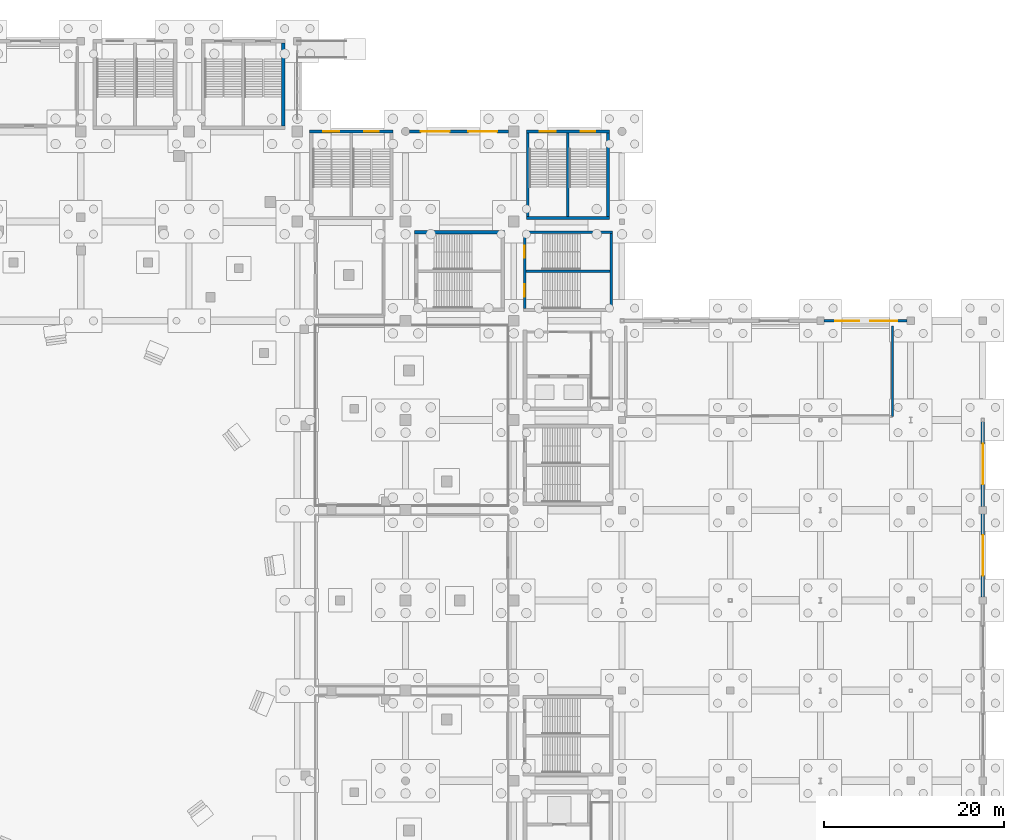
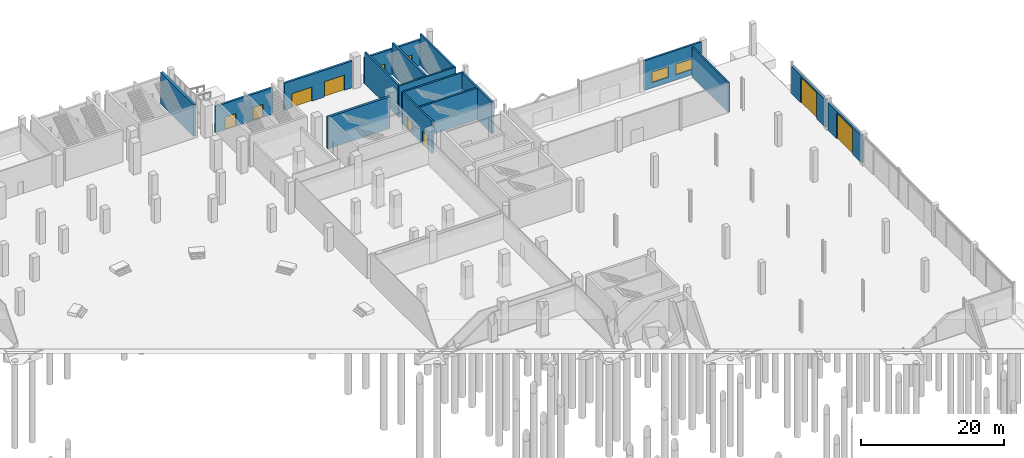
# One storey, part 57 of 70: 17 walls, 10 doors, 2 windows, 12 openings.
"""IFC4 building model written with IfcOpenShell, lengths in metres."""

from ifc_helpers import new_model, si_unit, direction, frame, frame_2d, origin, place, context, subcontext, project, spatial, rectangle, extrude, material, layer, layer_set, type_object, element, fill, save


model = new_model("IFC4")

# Units and contexts
model_context = context("Model", 3, precision=1e-05, world=origin(), true_north=direction((0.0, 1.0)))
body_context = subcontext(model_context, "Body", "Model", "MODEL_VIEW")
ifc_project = project(units=[si_unit("LENGTHUNIT", "METRE"), si_unit("AREAUNIT", "SQUARE_METRE"), si_unit("VOLUMEUNIT", "CUBIC_METRE"), si_unit("PLANEANGLEUNIT", "RADIAN"), si_unit("MASSUNIT", "GRAM", prefix="KILO")], contexts=[model_context])

# Site, building, storey
site_placement = place(None, origin())
site = spatial("IfcSite", under=ifc_project, at=site_placement, CompositionType="ELEMENT")
building_placement = place(site_placement, origin())
building = spatial("IfcBuilding", under=site, at=building_placement, Name="Brinegate Civic Arena", CompositionType="ELEMENT")
storey_placement = place(building_placement, origin())
storey = spatial("IfcBuildingStorey", under=building, at=storey_placement, Name="L00", CompositionType="ELEMENT", Elevation=0.0)

# Walls
ifc_material_1 = material(Name="Concrete C50/60", Category="concrete")
ifc_layer_1 = layer(ifc_material_1, 0.389892578125, Name="Concrete C50/60")
ifc_layer_set_1 = layer_set([ifc_layer_1], Name="Concrete C50/60")
wall_type_1 = type_object("IfcWallType", Name="WALL-CORE-SHEAR-390", PredefinedType="SHEAR", material=ifc_layer_set_1)
wall_1_placement = place(storey_placement, frame((130.449951171875, 114.594970703125, 0.0), z_axis=(0.0, 0.0, 1.0), x_axis=(0.0, 1.0, 0.0)))
element("IfcWall", 1, at=wall_1_placement, inside=storey, type_object=wall_type_1, Name="Stair ST-03 East Shear Wall L00 (WBB-65)", PredefinedType="SHEAR", context=body_context, shape_type="SweptSolid", body=[
    extrude(rectangle(XDim=9.22998046875, YDim=0.389892578125, at=frame_2d((4.614990234375, 0.0))), origin(), (0.0, 0.0, 1.0), 5.39990234375),
])
wall_2_placement = place(storey_placement, frame((145.0048828125, 102.800048828125, 0.0), z_axis=(0.0, 0.0, 1.0), x_axis=(1.0, 0.0, 0.0)))
element("IfcWall", 2, at=wall_2_placement, inside=storey, type_object=wall_type_1, Name="Stair ST-18 North Shear Wall L00 (WBL-02)", PredefinedType="SHEAR", context=body_context, shape_type="SweptSolid", body=[
    extrude(rectangle(XDim=9.990234375, YDim=0.389892578125, at=frame_2d((4.9951171875, 0.0))), origin(), (0.0, 0.0, 1.0), 5.39990234375),
])

# Wall, openings, windows
ifc_material_2 = material(Name="Precast concrete C45/55", Category="concrete")
ifc_layer_2 = layer(ifc_material_2, 0.31494140625, Name="Precast concrete C45/55")
ifc_layer_set_2 = layer_set([ifc_layer_2], Name="Precast concrete C45/55")
wall_type_2 = type_object("IfcWallType", Name="WALL-EXT-PRECAST-315", PredefinedType="SOLIDWALL", material=ifc_layer_set_2)
wall_3_placement = place(storey_placement, frame((190.385009765625, 93.0, 0.0), z_axis=(0.0, 0.0, 1.0), x_axis=(1.0, 0.0, 0.0)))
wall_3 = element("IfcWall", 3, at=wall_3_placement, inside=storey, type_object=wall_type_2, Name="Perimeter Window Wall L00-04 (WBA-05)", PredefinedType="SOLIDWALL", context=body_context, shape_type="SweptSolid", body=[
    extrude(rectangle(XDim=9.22998046875, YDim=0.31494140625, at=frame_2d((4.614990234375, 0.0))), origin(), (0.0, 0.0, 1.0), 5.06005859375),
])
opening_1_placement = place(wall_3_placement, frame((1.23388671875, 0.0, 0.89990234375)))
opening_1 = element("IfcOpeningElement", 4, at=opening_1_placement, cuts=wall_3, Name="Opening WN-0007", PredefinedType="OPENING", context=body_context, shape_type="SweptSolid", body=[
    extrude(rectangle(XDim=2.699951171875, YDim=1.800048828125, at=frame_2d((1.35009765625, 0.89990234375))), frame((0.0, 0.16748046875, 0.0), z_axis=(0.0, -1.0, 0.0), x_axis=(1.0, 0.0, 0.0)), (0.0, 0.0, 1.0), 0.3349609375),
])
opening_2_placement = place(wall_3_placement, frame((5.14599609375, 0.0, 0.89990234375)))
opening_2 = element("IfcOpeningElement", 5, at=opening_2_placement, cuts=wall_3, Name="Opening WN-0008", PredefinedType="OPENING", context=body_context, shape_type="SweptSolid", body=[
    extrude(rectangle(XDim=3.0, YDim=1.800048828125, at=frame_2d((1.5, 0.89990234375))), frame((0.0, 0.16748046875, 0.0), z_axis=(0.0, -1.0, 0.0), x_axis=(1.0, 0.0, 0.0)), (0.0, 0.0, 1.0), 0.3349609375),
])
ifc_material_3 = material(Name="Hurricane laminated low-E glass", Category="glass")
window_type_1 = type_object("IfcWindowType", Name="WIN-CASEMENT-2700X1800", PartitioningType="SINGLE_PANEL", PredefinedType="WINDOW", material=ifc_material_3)
window_1_placement = place(opening_1_placement, origin())
window_1 = element("IfcWindow", 6, at=window_1_placement, inside=storey, type_object=window_type_1, Name="Window WN-0007", OverallHeight=1.800048828125, OverallWidth=2.699951171875, PartitioningType="SINGLE_PANEL", PredefinedType="WINDOW", context=body_context, shape_type="SweptSolid", body=[
    extrude(rectangle(XDim=2.699951171875, YDim=1.800048828125, at=frame_2d((1.35009765625, 0.89990234375))), frame((0.0, 0.030029296875, 0.0), z_axis=(0.0, -1.0, 0.0), x_axis=(1.0, 0.0, 0.0)), (0.0, 0.0, 1.0), 0.06005859375),
])
fill(opening_1, window_1)
window_type_2 = type_object("IfcWindowType", Name="WIN-CASEMENT-3000X1800", PartitioningType="SINGLE_PANEL", PredefinedType="WINDOW", material=ifc_material_3)
window_2_placement = place(opening_2_placement, origin())
window_2 = element("IfcWindow", 7, at=window_2_placement, inside=storey, type_object=window_type_2, Name="Window WN-0008", OverallHeight=1.800048828125, OverallWidth=3.0, PartitioningType="SINGLE_PANEL", PredefinedType="WINDOW", context=body_context, shape_type="SweptSolid", body=[
    extrude(rectangle(XDim=3.0, YDim=1.800048828125, at=frame_2d((1.5, 0.89990234375))), frame((0.0, 0.030029296875, 0.0), z_axis=(0.0, -1.0, 0.0), x_axis=(1.0, 0.0, 0.0)), (0.0, 0.0, 1.0), 0.06005859375),
])
fill(opening_2, window_2)

# Wall, openings, doors
ifc_layer_3 = layer(ifc_material_2, 0.360107421875, Name="Precast concrete C45/55")
ifc_layer_set_3 = layer_set([ifc_layer_3], Name="Precast concrete C45/55")
wall_type_3 = type_object("IfcWallType", Name="WALL-EXT-PRECAST-360", PredefinedType="SOLIDWALL", material=ifc_layer_set_3)
wall_4_placement = place(storey_placement, frame((144.43505859375, 114.0, 0.0), z_axis=(0.0, 0.0, 1.0), x_axis=(1.0, 0.0, 0.0)))
wall_4 = element("IfcWall", 8, at=wall_4_placement, inside=storey, type_object=wall_type_3, Name="L00 Perimeter Wall NB-3 (WBA-27)", PredefinedType="SOLIDWALL", context=body_context, shape_type="SweptSolid", body=[
    extrude(rectangle(XDim=10.97998046875, YDim=0.360107421875, at=frame_2d((5.489990234375, 0.0))), origin(), (0.0, 0.0, 1.0), 4.573974609375),
])
opening_3_placement = place(wall_4_placement, frame((1.2548828125, 0.0, 0.0)))
opening_3 = element("IfcOpeningElement", 9, at=opening_3_placement, cuts=wall_4, Name="Opening E-09", PredefinedType="OPENING", context=body_context, shape_type="SweptSolid", body=[
    extrude(rectangle(XDim=3.199951171875, YDim=2.39990234375, at=frame_2d((1.60009765625, 1.199951171875))), frame((0.0, 0.18994140625, 0.0), z_axis=(0.0, -1.0, 0.0), x_axis=(1.0, 0.0, 0.0)), (0.0, 0.0, 1.0), 0.380126953125),
])
opening_4_placement = place(wall_4_placement, frame((6.52490234375, 0.0, 0.0)))
opening_4 = element("IfcOpeningElement", 10, at=opening_4_placement, cuts=wall_4, Name="Opening E-10", PredefinedType="OPENING", context=body_context, shape_type="SweptSolid", body=[
    extrude(rectangle(XDim=3.199951171875, YDim=2.60009765625, at=frame_2d((1.60009765625, 1.300048828125))), frame((0.0, 0.18994140625, 0.0), z_axis=(0.0, -1.0, 0.0), x_axis=(1.0, 0.0, 0.0)), (0.0, 0.0, 1.0), 0.380126953125),
])
ifc_material_4 = material(Name="Marine grade aluminium", Category="aluminium")
door_type_1 = type_object("IfcDoorType", Name="DOOR-FINAL-EXIT-3200X2400", OperationType="NOTDEFINED", PredefinedType="DOOR", material=ifc_material_4)
door_1_placement = place(opening_3_placement, origin())
door_1 = element("IfcDoor", 11, at=door_1_placement, inside=storey, type_object=door_type_1, Name="Main Pedestrian Final Exit Door E-09", OperationType="DOUBLE_DOOR_SINGLE_SWING", OverallHeight=2.39990234375, OverallWidth=3.199951171875, PredefinedType="DOOR", context=body_context, shape_type="SweptSolid", body=[
    extrude(rectangle(XDim=3.199951171875, YDim=2.39990234375, at=frame_2d((1.60009765625, 1.199951171875))), frame((0.0, 0.02490234375, 0.0), z_axis=(0.0, -1.0, 0.0), x_axis=(1.0, 0.0, 0.0)), (0.0, 0.0, 1.0), 0.050048828125),
])
fill(opening_3, door_1)
door_type_2 = type_object("IfcDoorType", Name="DOOR-FINAL-EXIT-3200X2600", OperationType="NOTDEFINED", PredefinedType="DOOR", material=ifc_material_4)
door_2_placement = place(opening_4_placement, origin())
door_2 = element("IfcDoor", 12, at=door_2_placement, inside=storey, type_object=door_type_2, Name="Main Pedestrian Final Exit Door E-10", OperationType="DOUBLE_DOOR_SINGLE_SWING", OverallHeight=2.60009765625, OverallWidth=3.199951171875, PredefinedType="DOOR", context=body_context, shape_type="SweptSolid", body=[
    extrude(rectangle(XDim=3.199951171875, YDim=2.60009765625, at=frame_2d((1.60009765625, 1.300048828125))), frame((0.0, 0.02490234375, 0.0), z_axis=(0.0, -1.0, 0.0), x_axis=(1.0, 0.0, 0.0)), (0.0, 0.0, 1.0), 0.050048828125),
])
fill(opening_4, door_2)

# Wall, opening, door
wall_5_placement = place(storey_placement, frame((208.0, 62.385009765625, 0.0), z_axis=(0.0, 0.0, 1.0), x_axis=(0.0, 1.0, 0.0)))
wall_5 = element("IfcWall", 13, at=wall_5_placement, inside=storey, type_object=wall_type_3, Name="Marshalling Dock East Wall 05 (WBA-40)", PredefinedType="SOLIDWALL", context=body_context, shape_type="SweptSolid", body=[
    extrude(rectangle(XDim=9.22998046875, YDim=0.360107421875, at=frame_2d((4.614990234375, 0.0))), origin(), (0.0, 0.0, 1.0), 4.699951171875),
])
opening_5_placement = place(wall_5_placement, frame((2.364990234375, 0.0, 0.0)))
opening_5 = element("IfcOpeningElement", 14, at=opening_5_placement, cuts=wall_5, Name="Opening VG-05", PredefinedType="OPENING", context=body_context, shape_type="SweptSolid", body=[
    extrude(rectangle(XDim=4.5, YDim=4.39990234375, at=frame_2d((2.25, 2.199951171875))), frame((0.0, 0.18994140625, 0.0), z_axis=(0.0, -1.0, 0.0), x_axis=(1.0, 0.0, 0.0)), (0.0, 0.0, 1.0), 0.380126953125),
])
ifc_material_5 = material(Name="Galvanized hurricane steel", Category="steel")
door_type_3 = type_object("IfcDoorType", Name="DOOR-SHUTTER-4500X4400", OperationType="ROLLINGUP", PredefinedType="DOOR", material=ifc_material_5)
door_3_placement = place(opening_5_placement, frame((4.5, 0.0, 0.0), z_axis=(0.0, 0.0, 1.0), x_axis=(-1.0, 0.0, 0.0)))
door_3 = element("IfcDoor", 15, at=door_3_placement, inside=storey, type_object=door_type_3, Name="Loading Dock Roller Shutter VG-05", OperationType="ROLLINGUP", OverallHeight=4.39990234375, OverallWidth=4.5, PredefinedType="DOOR", context=body_context, shape_type="SweptSolid", body=[
    extrude(rectangle(XDim=4.5, YDim=4.39990234375, at=frame_2d((2.25, 2.199951171875))), frame((0.0, 0.02490234375, 0.0), z_axis=(0.0, -1.0, 0.0), x_axis=(1.0, 0.0, 0.0)), (0.0, 0.0, 1.0), 0.050048828125),
])
fill(opening_5, door_3)

wall_6_placement = place(storey_placement, frame((208.0, 72.385009765625, 0.0), z_axis=(0.0, 0.0, 1.0), x_axis=(0.0, 1.0, 0.0)))
wall_6 = element("IfcWall", 16, at=wall_6_placement, inside=storey, type_object=wall_type_3, Name="Marshalling Dock East Wall 06 (WBA-41)", PredefinedType="SOLIDWALL", context=body_context, shape_type="SweptSolid", body=[
    extrude(rectangle(XDim=9.455078125, YDim=0.360107421875, at=frame_2d((4.7275390625, 0.0))), origin(), (0.0, 0.0, 1.0), 4.699951171875),
])
opening_6_placement = place(wall_6_placement, frame((2.47802734375, 0.0, 0.0)))
opening_6 = element("IfcOpeningElement", 17, at=opening_6_placement, cuts=wall_6, Name="Opening VG-06", PredefinedType="OPENING", context=body_context, shape_type="SweptSolid", body=[
    extrude(rectangle(XDim=4.5, YDim=4.39990234375, at=frame_2d((2.25, 2.199951171875))), frame((0.0, 0.18994140625, 0.0), z_axis=(0.0, -1.0, 0.0), x_axis=(1.0, 0.0, 0.0)), (0.0, 0.0, 1.0), 0.380126953125),
])
door_4_placement = place(opening_6_placement, frame((4.5, 0.0, 0.0), z_axis=(0.0, 0.0, 1.0), x_axis=(-1.0, 0.0, 0.0)))
door_4 = element("IfcDoor", 18, at=door_4_placement, inside=storey, type_object=door_type_3, Name="Loading Dock Roller Shutter VG-06", OperationType="ROLLINGUP", OverallHeight=4.39990234375, OverallWidth=4.5, PredefinedType="DOOR", context=body_context, shape_type="SweptSolid", body=[
    extrude(rectangle(XDim=4.5, YDim=4.39990234375, at=frame_2d((2.25, 2.199951171875))), frame((0.0, 0.02490234375, 0.0), z_axis=(0.0, -1.0, 0.0), x_axis=(1.0, 0.0, 0.0)), (0.0, 0.0, 1.0), 0.050048828125),
])
fill(opening_6, door_4)

# Wall, openings, doors
ifc_layer_4 = layer(ifc_material_1, 0.35009765625, Name="Concrete C50/60")
ifc_layer_set_4 = layer_set([ifc_layer_4], Name="Concrete C50/60")
wall_type_4 = type_object("IfcWallType", Name="WALL-EXT-STAIR-SHEAR-350", PredefinedType="SHEAR", material=ifc_layer_set_4)
wall_7_placement = place(storey_placement, frame((157.405029296875, 114.0, 0.0), z_axis=(0.0, 0.0, 1.0), x_axis=(1.0, 0.0, 0.0)))
wall_7 = element("IfcWall", 19, at=wall_7_placement, inside=storey, type_object=wall_type_4, Name="Stair ST-05 North Shear Wall L00 (WBC-19)", PredefinedType="SHEAR", context=body_context, shape_type="SweptSolid", body=[
    extrude(rectangle(XDim=9.18994140625, YDim=0.35009765625, at=frame_2d((4.594970703125, 0.0))), origin(), (0.0, 0.0, 1.0), 4.346923828125),
])
opening_7_placement = place(wall_7_placement, frame((1.469970703125, 0.0, 0.0)))
opening_7 = element("IfcOpeningElement", 20, at=opening_7_placement, cuts=wall_7, Name="Opening E-ST05A", PredefinedType="OPENING", context=body_context, shape_type="SweptSolid", body=[
    extrude(rectangle(XDim=1.800048828125, YDim=2.199951171875, at=frame_2d((0.89990234375, 1.10009765625))), frame((0.0, 0.18505859375, 0.0), z_axis=(0.0, -1.0, 0.0), x_axis=(1.0, 0.0, 0.0)), (0.0, 0.0, 1.0), 0.3701171875),
])
opening_8_placement = place(wall_7_placement, frame((6.02001953125, 0.0, 0.0)))
opening_8 = element("IfcOpeningElement", 21, at=opening_8_placement, cuts=wall_7, Name="Opening E-ST05B", PredefinedType="OPENING", context=body_context, shape_type="SweptSolid", body=[
    extrude(rectangle(XDim=1.60009765625, YDim=2.199951171875, at=frame_2d((0.800048828125, 1.10009765625))), frame((0.0, 0.18505859375, 0.0), z_axis=(0.0, -1.0, 0.0), x_axis=(1.0, 0.0, 0.0)), (0.0, 0.0, 1.0), 0.3701171875),
])
door_type_4 = type_object("IfcDoorType", Name="DOOR-LOGGIA-1600X2200", OperationType="NOTDEFINED", PredefinedType="DOOR", material=ifc_material_4)
door_5_placement = place(opening_8_placement, origin())
door_5 = element("IfcDoor", 22, at=door_5_placement, inside=storey, type_object=door_type_4, Name="Stair Final Exit Discharge Door E-ST05B", OperationType="DOUBLE_DOOR_SINGLE_SWING", OverallHeight=2.199951171875, OverallWidth=1.60009765625, PredefinedType="DOOR", context=body_context, shape_type="SweptSolid", body=[
    extrude(rectangle(XDim=1.60009765625, YDim=2.199951171875, at=frame_2d((0.800048828125, 1.10009765625))), frame((0.0, 0.02490234375, 0.0), z_axis=(0.0, -1.0, 0.0), x_axis=(1.0, 0.0, 0.0)), (0.0, 0.0, 1.0), 0.050048828125),
])
fill(opening_8, door_5)
door_type_5 = type_object("IfcDoorType", Name="DOOR-LOGGIA-1800X2200", OperationType="NOTDEFINED", PredefinedType="DOOR", material=ifc_material_4)
door_6_placement = place(opening_7_placement, origin())
door_6 = element("IfcDoor", 23, at=door_6_placement, inside=storey, type_object=door_type_5, Name="Stair Final Exit Discharge Door E-ST05A", OperationType="DOUBLE_DOOR_SINGLE_SWING", OverallHeight=2.199951171875, OverallWidth=1.800048828125, PredefinedType="DOOR", context=body_context, shape_type="SweptSolid", body=[
    extrude(rectangle(XDim=1.800048828125, YDim=2.199951171875, at=frame_2d((0.89990234375, 1.10009765625))), frame((0.0, 0.02490234375, 0.0), z_axis=(0.0, -1.0, 0.0), x_axis=(1.0, 0.0, 0.0)), (0.0, 0.0, 1.0), 0.050048828125),
])
fill(opening_7, door_6)

wall_8_placement = place(storey_placement, frame((133.375, 114.0, 0.0), z_axis=(0.0, 0.0, 1.0), x_axis=(1.0, 0.0, 0.0)))
wall_8 = element("IfcWall", 24, at=wall_8_placement, inside=storey, type_object=wall_type_4, Name="Stair ST-13 North Shear Wall L00 (WBE-31)", PredefinedType="SHEAR", context=body_context, shape_type="SweptSolid", body=[
    extrude(rectangle(XDim=9.25, YDim=0.35009765625, at=frame_2d((4.625, 0.0))), origin(), (0.0, 0.0, 1.0), 4.49609375),
])
opening_9_placement = place(wall_8_placement, frame((1.5, 0.0, 0.0)))
opening_9 = element("IfcOpeningElement", 25, at=opening_9_placement, cuts=wall_8, Name="Opening E-ST13A", PredefinedType="OPENING", context=body_context, shape_type="SweptSolid", body=[
    extrude(rectangle(XDim=1.800048828125, YDim=2.199951171875, at=frame_2d((0.89990234375, 1.10009765625))), frame((0.0, 0.18505859375, 0.0), z_axis=(0.0, -1.0, 0.0), x_axis=(1.0, 0.0, 0.0)), (0.0, 0.0, 1.0), 0.3701171875),
])
opening_10_placement = place(wall_8_placement, frame((6.050048828125, 0.0, 0.0)))
opening_10 = element("IfcOpeningElement", 26, at=opening_10_placement, cuts=wall_8, Name="Opening E-ST13B", PredefinedType="OPENING", context=body_context, shape_type="SweptSolid", body=[
    extrude(rectangle(XDim=1.60009765625, YDim=2.199951171875, at=frame_2d((0.800048828125, 1.10009765625))), frame((0.0, 0.18505859375, 0.0), z_axis=(0.0, -1.0, 0.0), x_axis=(1.0, 0.0, 0.0)), (0.0, 0.0, 1.0), 0.3701171875),
])
door_7_placement = place(opening_10_placement, origin())
door_7 = element("IfcDoor", 27, at=door_7_placement, inside=storey, type_object=door_type_4, Name="Stair Final Exit Discharge Door E-ST13B", OperationType="DOUBLE_DOOR_SINGLE_SWING", OverallHeight=2.199951171875, OverallWidth=1.60009765625, PredefinedType="DOOR", context=body_context, shape_type="SweptSolid", body=[
    extrude(rectangle(XDim=1.60009765625, YDim=2.199951171875, at=frame_2d((0.800048828125, 1.10009765625))), frame((0.0, 0.02490234375, 0.0), z_axis=(0.0, -1.0, 0.0), x_axis=(1.0, 0.0, 0.0)), (0.0, 0.0, 1.0), 0.050048828125),
])
fill(opening_10, door_7)
door_8_placement = place(opening_9_placement, origin())
door_8 = element("IfcDoor", 28, at=door_8_placement, inside=storey, type_object=door_type_5, Name="Stair Final Exit Discharge Door E-ST13A", OperationType="DOUBLE_DOOR_SINGLE_SWING", OverallHeight=2.199951171875, OverallWidth=1.800048828125, PredefinedType="DOOR", context=body_context, shape_type="SweptSolid", body=[
    extrude(rectangle(XDim=1.800048828125, YDim=2.199951171875, at=frame_2d((0.89990234375, 1.10009765625))), frame((0.0, 0.02490234375, 0.0), z_axis=(0.0, -1.0, 0.0), x_axis=(1.0, 0.0, 0.0)), (0.0, 0.0, 1.0), 0.050048828125),
])
fill(opening_9, door_8)

# Walls
ifc_material_6 = material(Name="Concrete C40/50", Category="concrete")
ifc_layer_5 = layer(ifc_material_6, 0.25, Name="Concrete C40/50")
ifc_layer_set_5 = layer_set([ifc_layer_5], Name="Concrete C40/50")
wall_type_5 = type_object("IfcWallType", Name="WALL-INT-SOLID-250", PredefinedType="SOLIDWALL", material=ifc_layer_set_5)
wall_9_placement = place(storey_placement, frame((198.0, 92.39990234375, 0.0), z_axis=(0.0, 0.0, 1.0), x_axis=(0.0, -1.0, 0.0)))
element("IfcWall", 29, at=wall_9_placement, inside=storey, type_object=wall_type_5, Name="Stage and Rigging Storage Hall Partition Wall E1 (WBI-43)", PredefinedType="SOLIDWALL", context=body_context, shape_type="SweptSolid", body=[
    extrude(rectangle(XDim=10.0, YDim=0.25, at=frame_2d((5.0, 0.0))), origin(), (0.0, 0.0, 1.0), 5.06005859375),
])
ifc_layer_6 = layer(ifc_material_1, 0.2900390625, Name="Concrete C50/60")
ifc_layer_set_6 = layer_set([ifc_layer_6], Name="Concrete C50/60")
wall_type_6 = type_object("IfcWallType", Name="WALL-STAIR-SHEAR-290", PredefinedType="SHEAR", material=ifc_layer_set_6)
wall_10_placement = place(storey_placement, frame((157.405029296875, 104.39990234375, 0.0), z_axis=(0.0, 0.0, 1.0), x_axis=(1.0, 0.0, 0.0)))
element("IfcWall", 30, at=wall_10_placement, inside=storey, type_object=wall_type_6, Name="Stair ST-05 South Shear Wall L00 (WBC-18)", PredefinedType="SHEAR", context=body_context, shape_type="SweptSolid", body=[
    extrude(rectangle(XDim=9.18994140625, YDim=0.2900390625, at=frame_2d((4.594970703125, 0.0))), origin(), (0.0, 0.0, 1.0), 5.39990234375),
])
for number, where, z_axis, x_axis, name in (
    (31, (157.550048828125, 104.544921875, 0.0), (0.0, 0.0, 1.0), (0.0, 1.0, 0.0), "Stair ST-05 West Shear Wall L00 (WBC-20)"),
    (32, (166.449951171875, 104.544921875, 0.0), (0.0, 0.0, 1.0), (0.0, 1.0, 0.0), "Stair ST-05 East Shear Wall L00 (WBC-21)"),
    (33, (162.0, 104.544921875, 0.0), (0.0, 0.0, 1.0), (0.0, 1.0, 0.0), "Stair ST-05 Central Dividing Shear Wall L00 (WBC-22)"),
):
    element("IfcWall", number, at=place(storey_placement, frame(where, z_axis=z_axis, x_axis=x_axis)), inside=storey, type_object=wall_type_6, Name=name, PredefinedType="SHEAR", context=body_context, shape_type="SweptSolid", body=[
        extrude(rectangle(XDim=9.280029296875, YDim=0.2900390625, at=frame_2d((4.64013671875, 0.0))), origin(), (0.0, 0.0, 1.0), 5.39990234375),
    ])
wall_11_placement = place(storey_placement, frame((157.054931640625, 102.800048828125, 0.0), z_axis=(0.0, 0.0, 1.0), x_axis=(1.0, 0.0, 0.0)))
element("IfcWall", 34, at=wall_11_placement, inside=storey, type_object=wall_type_6, Name="Stair ST-20 North Shear Wall L00 (WBL-52)", PredefinedType="SHEAR", context=body_context, shape_type="SweptSolid", body=[
    extrude(rectangle(XDim=9.89013671875, YDim=0.2900390625, at=frame_2d((4.945068359375, 0.0))), origin(), (0.0, 0.0, 1.0), 5.39990234375),
])

# Wall, openings, doors
wall_12_placement = place(storey_placement, frame((157.199951171875, 94.344970703125, 0.0), z_axis=(0.0, 0.0, 1.0), x_axis=(0.0, 1.0, 0.0)))
wall_12 = element("IfcWall", 35, at=wall_12_placement, inside=storey, type_object=wall_type_6, Name="Stair ST-20 West Shear Wall L00 (WBL-53)", PredefinedType="SHEAR", context=body_context, shape_type="SweptSolid", body=[
    extrude(rectangle(XDim=8.31005859375, YDim=0.2900390625, at=frame_2d((4.155029296875, 0.0))), origin(), (0.0, 0.0, 1.0), 5.39990234375),
])
opening_11_placement = place(wall_12_placement, frame((1.304931640625, 0.0, 0.0)))
opening_11 = element("IfcOpeningElement", 36, at=opening_11_placement, cuts=wall_12, Name="Opening D-ST20A-L00", PredefinedType="OPENING", context=body_context, shape_type="SweptSolid", body=[
    extrude(rectangle(XDim=1.39990234375, YDim=2.199951171875, at=frame_2d((0.699951171875, 1.10009765625))), frame((0.0, 0.155029296875, 0.0), z_axis=(0.0, -1.0, 0.0), x_axis=(1.0, 0.0, 0.0)), (0.0, 0.0, 1.0), 0.31005859375),
])
opening_12_placement = place(wall_12_placement, frame((5.64501953125, 0.0, 0.0)))
opening_12 = element("IfcOpeningElement", 37, at=opening_12_placement, cuts=wall_12, Name="Opening D-ST20B-L00", PredefinedType="OPENING", context=body_context, shape_type="SweptSolid", body=[
    extrude(rectangle(XDim=1.320068359375, YDim=2.199951171875, at=frame_2d((0.66015625, 1.10009765625))), frame((0.0, 0.155029296875, 0.0), z_axis=(0.0, -1.0, 0.0), x_axis=(1.0, 0.0, 0.0)), (0.0, 0.0, 1.0), 0.31005859375),
])
door_type_6 = type_object("IfcDoorType", Name="DOOR-STAIR-2200X2200", OperationType="NOTDEFINED", PredefinedType="DOOR", material=ifc_material_5)
door_9_placement = place(opening_12_placement, origin())
door_9 = element("IfcDoor", 38, at=door_9_placement, inside=storey, type_object=door_type_6, Name="Protected Exit Stair Door D-ST20B-L00", OperationType="DOUBLE_DOOR_SINGLE_SWING", OverallHeight=2.199951171875, OverallWidth=1.320068359375, PredefinedType="DOOR", context=body_context, shape_type="SweptSolid", body=[
    extrude(rectangle(XDim=1.320068359375, YDim=2.199951171875, at=frame_2d((0.66015625, 1.10009765625))), frame((0.0, 0.02490234375, 0.0), z_axis=(0.0, -1.0, 0.0), x_axis=(1.0, 0.0, 0.0)), (0.0, 0.0, 1.0), 0.050048828125),
])
fill(opening_12, door_9)
door_type_7 = type_object("IfcDoorType", Name="DOOR-STAIR-2400X2200", OperationType="NOTDEFINED", PredefinedType="DOOR", material=ifc_material_5)
door_10_placement = place(opening_11_placement, origin())
door_10 = element("IfcDoor", 39, at=door_10_placement, inside=storey, type_object=door_type_7, Name="Protected Exit Stair Door D-ST20A-L00", OperationType="DOUBLE_DOOR_SINGLE_SWING", OverallHeight=2.199951171875, OverallWidth=1.39990234375, PredefinedType="DOOR", context=body_context, shape_type="SweptSolid", body=[
    extrude(rectangle(XDim=1.39990234375, YDim=2.199951171875, at=frame_2d((0.699951171875, 1.10009765625))), frame((0.0, 0.02490234375, 0.0), z_axis=(0.0, -1.0, 0.0), x_axis=(1.0, 0.0, 0.0)), (0.0, 0.0, 1.0), 0.050048828125),
])
fill(opening_11, door_10)

# Walls
wall_13_placement = place(storey_placement, frame((166.800048828125, 94.344970703125, 0.0), z_axis=(0.0, 0.0, 1.0), x_axis=(0.0, 1.0, 0.0)))
element("IfcWall", 40, at=wall_13_placement, inside=storey, type_object=wall_type_6, Name="Stair ST-20 East Shear Wall L00 (WBL-54)", PredefinedType="SHEAR", context=body_context, shape_type="SweptSolid", body=[
    extrude(rectangle(XDim=8.31005859375, YDim=0.2900390625, at=frame_2d((4.155029296875, 0.0))), origin(), (0.0, 0.0, 1.0), 5.39990234375),
])
wall_14_placement = place(storey_placement, frame((157.344970703125, 98.5, 0.0), z_axis=(0.0, 0.0, 1.0), x_axis=(1.0, 0.0, 0.0)))
element("IfcWall", 41, at=wall_14_placement, inside=storey, type_object=wall_type_6, Name="Stair ST-20 Central Dividing Shear Wall L00 (WBL-55)", PredefinedType="SHEAR", context=body_context, shape_type="SweptSolid", body=[
    extrude(rectangle(XDim=9.31005859375, YDim=0.2900390625, at=frame_2d((4.655029296875, 0.0))), origin(), (0.0, 0.0, 1.0), 5.39990234375),
])

save(model, "model.ifc")
